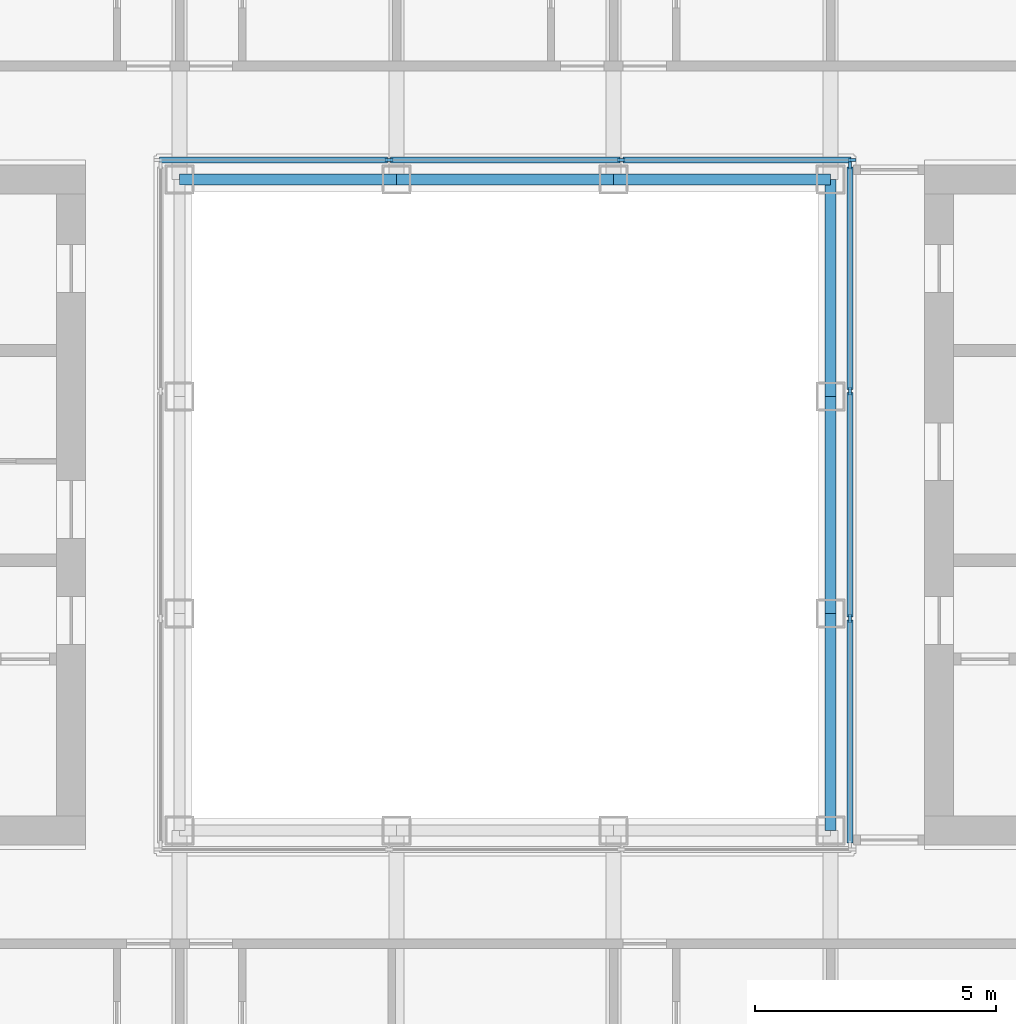
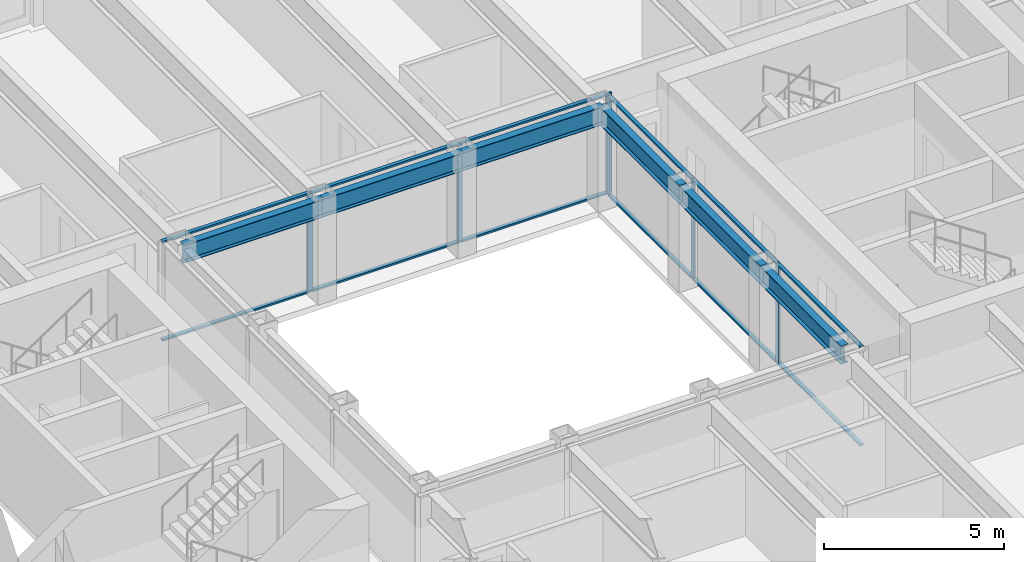
# One storey, part 5 of 17: 18 members, 6 beams, 2 elements without a shape of their own.
"""IFC4 building model written with IfcOpenShell, lengths in metres."""

from ifc_helpers import new_model, si_unit, direction, frame, origin, origin_2d, place, context, subcontext, project, spatial, rectangle, i_section, extrude, material, material_profile, profile_set, type_object, element, aggregate, save


model = new_model("IFC4")

# Units and contexts
model_context = context("Model", 3, precision=1e-05, world=origin(), true_north=direction((0.0, 1.0)))
body_context = subcontext(model_context, "Body", "Model", "MODEL_VIEW")
ifc_project = project(units=[si_unit("LENGTHUNIT", "METRE"), si_unit("AREAUNIT", "SQUARE_METRE"), si_unit("VOLUMEUNIT", "CUBIC_METRE"), si_unit("PLANEANGLEUNIT", "RADIAN"), si_unit("MASSUNIT", "GRAM", prefix="KILO")], contexts=[model_context])

# Site, building, storey
site_placement = place(None, origin())
site = spatial("IfcSite", under=ifc_project, at=site_placement, CompositionType="ELEMENT")
building_placement = place(site_placement, origin())
building = spatial("IfcBuilding", under=site, at=building_placement, Name="Msasa Ring Tower", CompositionType="ELEMENT")
storey_placement = place(building_placement, frame((0.0, 0.0, 140.0)))
storey = spatial("IfcBuildingStorey", under=building, at=storey_placement, Name="L36", CompositionType="ELEMENT", Elevation=140.0)

# Curtain wall, members
ifc_material_1 = material(Name="Aluminium curtain wall with clear glass", Category="aluminium")
curtain_wall_type = type_object("IfcCurtainWallType", Name="CW-W LIGHT WELL CURTAIN WALL", PredefinedType="NOTDEFINED", material=ifc_material_1)
curtain_wall_1_placement = place(storey_placement, origin())
curtain_wall_1 = element("IfcCurtainWall", 1, at=curtain_wall_1_placement, inside=storey, type_object=curtain_wall_type, Name="Light well curtain wall N L36", PredefinedType="NOTDEFINED")
ifc_material_2 = material(Name="Aluminium mullion", Category="aluminium")
ifc_material_profile_1 = material_profile(ifc_material_2, rectangle(XDim=0.06005859375, YDim=0.159912109375, at=origin_2d()), Name="AL 60x160")
ifc_profile_set_1 = profile_set([ifc_material_profile_1], Name="Aluminium mullion")
member_type_1 = type_object("IfcMemberType", Name="CW-W MULLION 60x160", PredefinedType="MULLION", material=ifc_profile_set_1)
member_1_placement = place(storey_placement, frame((-2.409912109375, 7.14990234375, 0.0), z_axis=(0.0, 0.0, 1.0), x_axis=(0.0, 1.0, 0.0)))
member_1 = element("IfcMember", 2, at=member_1_placement, type_object=member_type_1, Name="CW-W mullion 2", PredefinedType="MULLION", context=body_context, shape_type="SweptSolid", body=[
    extrude(rectangle(XDim=0.06005859375, YDim=0.159912109375, at=origin_2d()), origin(), (0.0, 0.0, 1.0), 3.39990234375),
])
member_2_placement = place(storey_placement, frame((2.409912109375, 7.14990234375, 0.0), z_axis=(0.0, 0.0, 1.0), x_axis=(0.0, 1.0, 0.0)))
member_2 = element("IfcMember", 3, at=member_2_placement, type_object=member_type_1, Name="CW-W mullion 3", PredefinedType="MULLION", context=body_context, shape_type="SweptSolid", body=[
    extrude(rectangle(XDim=0.06005859375, YDim=0.159912109375, at=origin_2d()), origin(), (0.0, 0.0, 1.0), 3.39990234375),
])
member_3_placement = place(storey_placement, frame((7.199951171875, 7.14990234375, 0.0), z_axis=(0.0, 0.0, 1.0), x_axis=(0.0, 1.0, 0.0)))
member_3 = element("IfcMember", 4, at=member_3_placement, type_object=member_type_1, Name="CW-W mullion 4", PredefinedType="MULLION", context=body_context, shape_type="SweptSolid", body=[
    extrude(rectangle(XDim=0.06005859375, YDim=0.159912109375, at=origin_2d()), origin(), (0.0, 0.0, 1.0), 3.39990234375),
])

curtain_wall_2_placement = place(storey_placement, origin())
curtain_wall_2 = element("IfcCurtainWall", 5, at=curtain_wall_2_placement, inside=storey, type_object=curtain_wall_type, Name="Light well curtain wall E L36", PredefinedType="NOTDEFINED")
member_4_placement = place(storey_placement, frame((7.14990234375, -2.356689453125, 0.0), z_axis=(0.0, 0.0, 1.0), x_axis=(-1.0, 0.0, 0.0)))
member_4 = element("IfcMember", 6, at=member_4_placement, type_object=member_type_1, Name="CW-W mullion 2", PredefinedType="MULLION", context=body_context, shape_type="SweptSolid", body=[
    extrude(rectangle(XDim=0.06005859375, YDim=0.159912109375, at=origin_2d()), origin(), (0.0, 0.0, 1.0), 3.39990234375),
])
member_5_placement = place(storey_placement, frame((7.14990234375, 2.356689453125, 0.0), z_axis=(0.0, 0.0, 1.0), x_axis=(-1.0, 0.0, 0.0)))
member_5 = element("IfcMember", 7, at=member_5_placement, type_object=member_type_1, Name="CW-W mullion 3", PredefinedType="MULLION", context=body_context, shape_type="SweptSolid", body=[
    extrude(rectangle(XDim=0.06005859375, YDim=0.159912109375, at=origin_2d()), origin(), (0.0, 0.0, 1.0), 3.39990234375),
])
member_6_placement = place(storey_placement, frame((7.14990234375, 7.0400390625, 0.0), z_axis=(0.0, 0.0, 1.0), x_axis=(-1.0, 0.0, 0.0)))
member_6 = element("IfcMember", 8, at=member_6_placement, type_object=member_type_1, Name="CW-W mullion 4", PredefinedType="MULLION", context=body_context, shape_type="SweptSolid", body=[
    extrude(rectangle(XDim=0.06005859375, YDim=0.159912109375, at=origin_2d()), origin(), (0.0, 0.0, 1.0), 3.39990234375),
])

# Member
ifc_material_3 = material(Name="Aluminium transom", Category="aluminium")
ifc_material_profile_2 = material_profile(ifc_material_3, rectangle(XDim=0.1201171875, YDim=0.06005859375, at=origin_2d()), Name="AL 60x120")
ifc_profile_set_2 = profile_set([ifc_material_profile_2], Name="Aluminium transom")
member_type_2 = type_object("IfcMemberType", Name="CW-W TRANSOM 60x120", PredefinedType="USERDEFINED", material=ifc_profile_set_2)
member_7_placement = place(storey_placement, frame((-7.169921875, 7.14990234375, 0.030029296875), z_axis=(1.0, 0.0, 0.0), x_axis=(0.0, 1.0, 0.0)))
member_7 = element("IfcMember", 9, at=member_7_placement, type_object=member_type_2, Name="CW-W transom 1.1", ObjectType="TRANSOM", PredefinedType="USERDEFINED", context=body_context, shape_type="SweptSolid", body=[
    extrude(rectangle(XDim=0.1201171875, YDim=0.06005859375, at=origin_2d()), origin(), (0.0, 0.0, 1.0), 4.72998046875),
])

member_8_placement = place(storey_placement, frame((-7.169921875, 7.14990234375, 3.3701171875), z_axis=(1.0, 0.0, 0.0), x_axis=(0.0, 1.0, 0.0)))
member_8 = element("IfcMember", 10, at=member_8_placement, type_object=member_type_2, Name="CW-W transom 1.2", ObjectType="TRANSOM", PredefinedType="USERDEFINED", context=body_context, shape_type="SweptSolid", body=[
    extrude(rectangle(XDim=0.1201171875, YDim=0.06005859375, at=origin_2d()), origin(), (0.0, 0.0, 1.0), 4.72998046875),
])

member_9_placement = place(storey_placement, frame((-2.3798828125, 7.14990234375, 0.030029296875), z_axis=(1.0, 0.0, 0.0), x_axis=(0.0, 1.0, 0.0)))
member_9 = element("IfcMember", 11, at=member_9_placement, type_object=member_type_2, Name="CW-W transom 2.1", ObjectType="TRANSOM", PredefinedType="USERDEFINED", context=body_context, shape_type="SweptSolid", body=[
    extrude(rectangle(XDim=0.1201171875, YDim=0.06005859375, at=origin_2d()), origin(), (0.0, 0.0, 1.0), 4.759765625),
])

member_10_placement = place(storey_placement, frame((-2.3798828125, 7.14990234375, 3.3701171875), z_axis=(1.0, 0.0, 0.0), x_axis=(0.0, 1.0, 0.0)))
member_10 = element("IfcMember", 12, at=member_10_placement, type_object=member_type_2, Name="CW-W transom 2.2", ObjectType="TRANSOM", PredefinedType="USERDEFINED", context=body_context, shape_type="SweptSolid", body=[
    extrude(rectangle(XDim=0.1201171875, YDim=0.06005859375, at=origin_2d()), origin(), (0.0, 0.0, 1.0), 4.759765625),
])

member_11_placement = place(storey_placement, frame((2.43994140625, 7.14990234375, 0.030029296875), z_axis=(1.0, 0.0, 0.0), x_axis=(0.0, 1.0, 0.0)))
member_11 = element("IfcMember", 13, at=member_11_placement, type_object=member_type_2, Name="CW-W transom 3.1", ObjectType="TRANSOM", PredefinedType="USERDEFINED", context=body_context, shape_type="SweptSolid", body=[
    extrude(rectangle(XDim=0.1201171875, YDim=0.06005859375, at=origin_2d()), origin(), (0.0, 0.0, 1.0), 4.72998046875),
])

member_12_placement = place(storey_placement, frame((2.43994140625, 7.14990234375, 3.3701171875), z_axis=(1.0, 0.0, 0.0), x_axis=(0.0, 1.0, 0.0)))
member_12 = element("IfcMember", 14, at=member_12_placement, type_object=member_type_2, Name="CW-W transom 3.2", ObjectType="TRANSOM", PredefinedType="USERDEFINED", context=body_context, shape_type="SweptSolid", body=[
    extrude(rectangle(XDim=0.1201171875, YDim=0.06005859375, at=origin_2d()), origin(), (0.0, 0.0, 1.0), 4.72998046875),
])

aggregate(curtain_wall_1, [member_1, member_2, member_3, member_7, member_8, member_9, member_10, member_11, member_12])

member_13_placement = place(storey_placement, frame((7.14990234375, -7.010009765625, 0.030029296875), z_axis=(0.0, 1.0, 0.0), x_axis=(-1.0, 0.0, 0.0)))
member_13 = element("IfcMember", 15, at=member_13_placement, type_object=member_type_2, Name="CW-W transom 1.1", ObjectType="TRANSOM", PredefinedType="USERDEFINED", context=body_context, shape_type="SweptSolid", body=[
    extrude(rectangle(XDim=0.1201171875, YDim=0.06005859375, at=origin_2d()), origin(), (0.0, 0.0, 1.0), 4.623291015625),
])

member_14_placement = place(storey_placement, frame((7.14990234375, -7.010009765625, 3.3701171875), z_axis=(0.0, 1.0, 0.0), x_axis=(-1.0, 0.0, 0.0)))
member_14 = element("IfcMember", 16, at=member_14_placement, type_object=member_type_2, Name="CW-W transom 1.2", ObjectType="TRANSOM", PredefinedType="USERDEFINED", context=body_context, shape_type="SweptSolid", body=[
    extrude(rectangle(XDim=0.1201171875, YDim=0.06005859375, at=origin_2d()), origin(), (0.0, 0.0, 1.0), 4.623291015625),
])

member_15_placement = place(storey_placement, frame((7.14990234375, -2.32666015625, 0.030029296875), z_axis=(0.0, 1.0, 0.0), x_axis=(-1.0, 0.0, 0.0)))
member_15 = element("IfcMember", 17, at=member_15_placement, type_object=member_type_2, Name="CW-W transom 2.1", ObjectType="TRANSOM", PredefinedType="USERDEFINED", context=body_context, shape_type="SweptSolid", body=[
    extrude(rectangle(XDim=0.1201171875, YDim=0.06005859375, at=origin_2d()), origin(), (0.0, 0.0, 1.0), 4.6533203125),
])

member_16_placement = place(storey_placement, frame((7.14990234375, -2.32666015625, 3.3701171875), z_axis=(0.0, 1.0, 0.0), x_axis=(-1.0, 0.0, 0.0)))
member_16 = element("IfcMember", 18, at=member_16_placement, type_object=member_type_2, Name="CW-W transom 2.2", ObjectType="TRANSOM", PredefinedType="USERDEFINED", context=body_context, shape_type="SweptSolid", body=[
    extrude(rectangle(XDim=0.1201171875, YDim=0.06005859375, at=origin_2d()), origin(), (0.0, 0.0, 1.0), 4.6533203125),
])

member_17_placement = place(storey_placement, frame((7.14990234375, 2.38671875, 0.030029296875), z_axis=(0.0, 1.0, 0.0), x_axis=(-1.0, 0.0, 0.0)))
member_17 = element("IfcMember", 19, at=member_17_placement, type_object=member_type_2, Name="CW-W transom 3.1", ObjectType="TRANSOM", PredefinedType="USERDEFINED", context=body_context, shape_type="SweptSolid", body=[
    extrude(rectangle(XDim=0.1201171875, YDim=0.06005859375, at=origin_2d()), origin(), (0.0, 0.0, 1.0), 4.623291015625),
])

member_18_placement = place(storey_placement, frame((7.14990234375, 2.38671875, 3.3701171875), z_axis=(0.0, 1.0, 0.0), x_axis=(-1.0, 0.0, 0.0)))
member_18 = element("IfcMember", 20, at=member_18_placement, type_object=member_type_2, Name="CW-W transom 3.2", ObjectType="TRANSOM", PredefinedType="USERDEFINED", context=body_context, shape_type="SweptSolid", body=[
    extrude(rectangle(XDim=0.1201171875, YDim=0.06005859375, at=origin_2d()), origin(), (0.0, 0.0, 1.0), 4.623291015625),
])

aggregate(curtain_wall_2, [member_4, member_5, member_6, member_13, member_14, member_15, member_16, member_17, member_18])

# Beams
ifc_material_4 = material(Name="Steel S355", Category="steel")
ifc_material_profile_3 = material_profile(ifc_material_4, i_section(OverallWidth=0.230224609375, OverallDepth=0.6171875, WebThickness=0.01318359375, FlangeThickness=0.022216796875, FilletRadius=0.0126953125, at=origin_2d()), Name="UB 610x229x140")
ifc_profile_set_3 = profile_set([ifc_material_profile_3], Name="Steel S355")
beam_type = type_object("IfcBeamType", Name="RB1 UB 610x229x140", PredefinedType="BEAM", material=ifc_profile_set_3)
for number, where, z_axis, x_axis, name in (
    (21, (6.75, -6.75, 3.09130859375), (0.0, 1.0, 0.0), (-1.0, 0.0, 0.0), "Inner ring beam IR+6.75-6.75 under L37"),
    (22, (6.75, -2.25, 3.09130859375), (0.0, 1.0, 0.0), (-1.0, 0.0, 0.0), "Inner ring beam IR+6.75-2.25 under L37"),
    (23, (6.75, 2.25, 3.09130859375), (0.0, 1.0, 0.0), (-1.0, 0.0, 0.0), "Inner ring beam IR+6.75+2.25 under L37"),
    (24, (6.75, 6.75, 3.09130859375), (-1.0, 0.0, 0.0), (0.0, -1.0, 0.0), "Inner ring beam IR+6.75+6.75 under L37"),
    (25, (2.25, 6.75, 3.09130859375), (-1.0, 0.0, 0.0), (0.0, -1.0, 0.0), "Inner ring beam IR+2.25+6.75 under L37"),
    (26, (-2.25, 6.75, 3.09130859375), (-1.0, 0.0, 0.0), (0.0, -1.0, 0.0), "Inner ring beam IR-2.25+6.75 under L37"),
):
    element("IfcBeam", number, at=place(storey_placement, frame(where, z_axis=z_axis, x_axis=x_axis)), inside=storey, type_object=beam_type, Name=name, PredefinedType="BEAM", context=body_context, shape_type="SweptSolid", body=[
        extrude(i_section(OverallWidth=0.230224609375, OverallDepth=0.6171875, WebThickness=0.01318359375, FlangeThickness=0.022216796875, FilletRadius=0.0126953125, at=origin_2d()), origin(), (0.0, 0.0, 1.0), 4.5),
    ])

save(model, "model.ifc")
